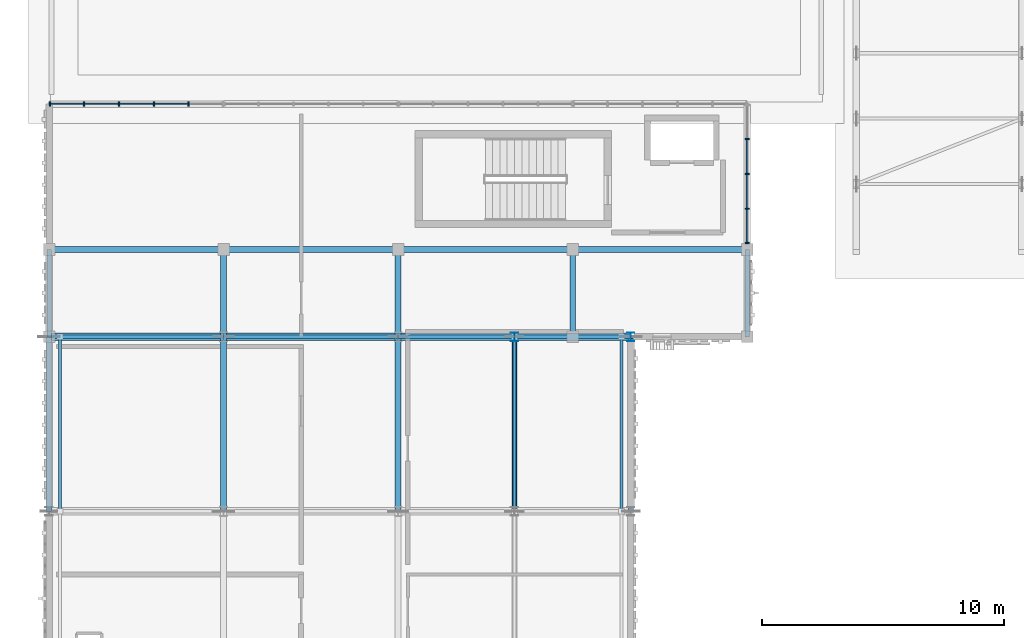
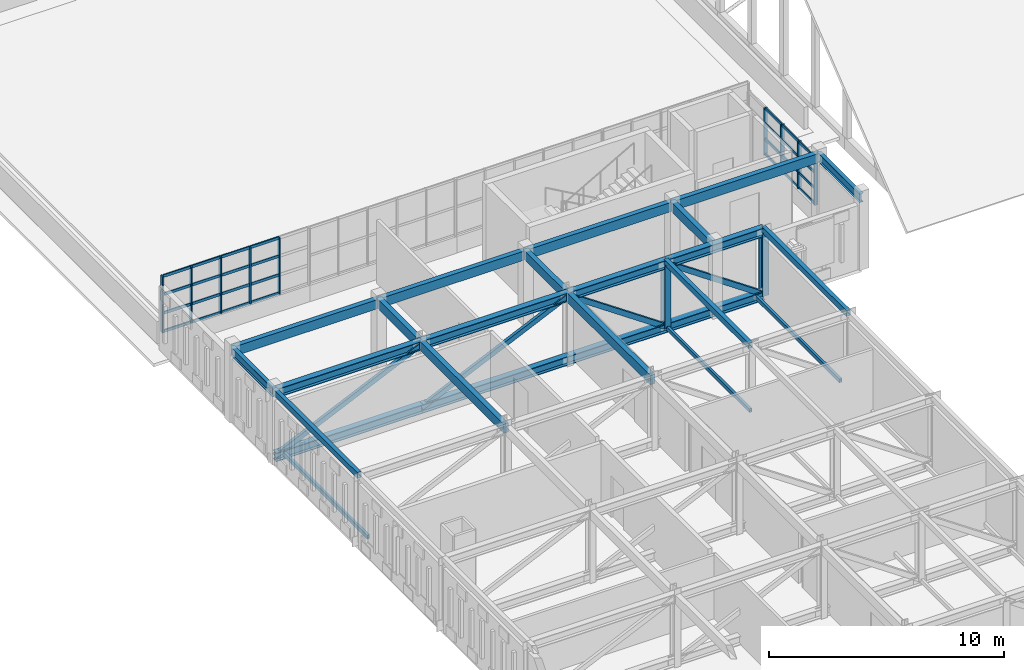
# One storey, part 14 of 79: 54 members, 14 beams, 2 elements without a shape of their own.
"""IFC4 building model written with IfcOpenShell, lengths in metres."""

from ifc_helpers import new_model, si_unit, direction, frame, origin, origin_2d, place, context, subcontext, project, spatial, rectangle, hollow_rectangle, i_section, extrude, material, material_profile, profile_set, type_object, element, aggregate, save


model = new_model("IFC4")

# Units and contexts
model_context = context("Model", 3, precision=1e-05, world=origin(), true_north=direction((0.0, 1.0)))
body_context = subcontext(model_context, "Body", "Model", "MODEL_VIEW")
ifc_project = project(units=[si_unit("LENGTHUNIT", "METRE"), si_unit("AREAUNIT", "SQUARE_METRE"), si_unit("VOLUMEUNIT", "CUBIC_METRE"), si_unit("PLANEANGLEUNIT", "RADIAN"), si_unit("MASSUNIT", "GRAM", prefix="KILO")], contexts=[model_context])

# Site, building, storey
site_placement = place(None, origin())
site = spatial("IfcSite", under=ifc_project, at=site_placement, CompositionType="ELEMENT")
building_placement = place(site_placement, origin())
building = spatial("IfcBuilding", under=site, at=building_placement, Name="Nzembalo Square Collegiate School", CompositionType="ELEMENT")
storey_placement = place(building_placement, frame((0.0, 0.0, 9.52001953125)))
storey = spatial("IfcBuildingStorey", under=building, at=storey_placement, Name="L02", CompositionType="ELEMENT", Elevation=9.52001953125)

# Beams
ifc_material_1 = material(Name="Glulam GL28h", Category="wood")
ifc_material_profile_1 = material_profile(ifc_material_1, rectangle(XDim=0.239990234375, YDim=0.47998046875, at=origin_2d()), Name="GL28h 240x480")
ifc_profile_set_1 = profile_set([ifc_material_profile_1], Name="Glulam GL28h")
beam_type_1 = type_object("IfcBeamType", Name="B06", PredefinedType="BEAM", material=ifc_profile_set_1)
beam_1_placement = place(storey_placement, frame((15.60009765625, 72.0, 3.544921875), z_axis=(0.0, 1.0, 0.0), x_axis=(-1.0, 0.0, 0.0)))
element("IfcBeam", 1, at=beam_1_placement, inside=storey, type_object=beam_type_1, Name="Beam B06 L02", PredefinedType="BEAM", context=body_context, shape_type="SweptSolid", body=[
    extrude(rectangle(XDim=0.239990234375, YDim=0.47998046875, at=origin_2d()), origin(), (0.0, 0.0, 1.0), 7.199951171875),
])
beam_2_placement = place(storey_placement, frame((15.60009765625, 79.199951171875, 3.544921875), z_axis=(0.0, 1.0, 0.0), x_axis=(-1.0, 0.0, 0.0)))
element("IfcBeam", 2, at=beam_2_placement, inside=storey, type_object=beam_type_1, Name="Beam B06 L02", PredefinedType="BEAM", context=body_context, shape_type="SweptSolid", body=[
    extrude(rectangle(XDim=0.239990234375, YDim=0.47998046875, at=origin_2d()), origin(), (0.0, 0.0, 1.0), 3.60009765625),
])
beam_3_placement = place(storey_placement, frame((22.800048828125, 72.0, 3.544921875), z_axis=(0.0, 1.0, 0.0), x_axis=(-1.0, 0.0, 0.0)))
element("IfcBeam", 3, at=beam_3_placement, inside=storey, type_object=beam_type_1, Name="Beam B06 L02", PredefinedType="BEAM", context=body_context, shape_type="SweptSolid", body=[
    extrude(rectangle(XDim=0.239990234375, YDim=0.47998046875, at=origin_2d()), origin(), (0.0, 0.0, 1.0), 7.199951171875),
])
for number, where, z_axis, x_axis, name in (
    (4, (22.800048828125, 79.199951171875, 3.544921875), (0.0, 1.0, 0.0), (-1.0, 0.0, 0.0), "Beam B06 L02"),
    (5, (30.0, 79.199951171875, 3.544921875), (0.0, 1.0, 0.0), (-1.0, 0.0, 0.0), "Beam B06 L02"),
):
    element("IfcBeam", number, at=place(storey_placement, frame(where, z_axis=z_axis, x_axis=x_axis)), inside=storey, type_object=beam_type_1, Name=name, PredefinedType="BEAM", context=body_context, shape_type="SweptSolid", body=[
        extrude(rectangle(XDim=0.239990234375, YDim=0.47998046875, at=origin_2d()), origin(), (0.0, 0.0, 1.0), 3.60009765625),
    ])
ifc_material_2 = material(Name="Steel S355", Category="steel")
ifc_material_profile_2 = material_profile(ifc_material_2, i_section(OverallWidth=0.18994140625, OverallDepth=0.449951171875, WebThickness=0.009521484375, FlangeThickness=0.0146484375, at=origin_2d()), Name="IPE 450")
ifc_profile_set_2 = profile_set([ifc_material_profile_2], Name="Steel S355")
beam_type_2 = type_object("IfcBeamType", Name="B09", PredefinedType="BEAM", material=ifc_profile_set_2)
for number, where, z_axis, x_axis, name in (
    (6, (8.39990234375, 79.199951171875, 3.56005859375), (0.0, 1.0, 0.0), (-1.0, 0.0, 0.0), "Beam B09 L02"),
    (7, (37.199951171875, 79.199951171875, 3.56005859375), (0.0, 1.0, 0.0), (-1.0, 0.0, 0.0), "Beam B09 L02"),
):
    element("IfcBeam", number, at=place(storey_placement, frame(where, z_axis=z_axis, x_axis=x_axis)), inside=storey, type_object=beam_type_2, Name=name, PredefinedType="BEAM", context=body_context, shape_type="SweptSolid", body=[
        extrude(i_section(OverallWidth=0.18994140625, OverallDepth=0.449951171875, WebThickness=0.009521484375, FlangeThickness=0.0146484375, at=origin_2d()), origin(), (0.0, 0.0, 1.0), 3.60009765625),
    ])
ifc_material_3 = material(Name="Glulam GL28h", Category="wood")
ifc_material_profile_3 = material_profile(ifc_material_3, rectangle(XDim=0.239990234375, YDim=0.47998046875, at=origin_2d()), Name="GL28h 240x480")
ifc_profile_set_3 = profile_set([ifc_material_profile_3], Name="Glulam GL28h")
beam_type_3 = type_object("IfcBeamType", Name="SP02", PredefinedType="SPANDREL", material=ifc_profile_set_3)
beam_4_placement = place(storey_placement, frame((8.39990234375, 82.800048828125, 3.544921875), z_axis=(1.0, 0.0, 0.0), x_axis=(0.0, 1.0, 0.0)))
element("IfcBeam", 8, at=beam_4_placement, inside=storey, type_object=beam_type_3, Name="Beam SP02 L02", PredefinedType="SPANDREL", context=body_context, shape_type="SweptSolid", body=[
    extrude(rectangle(XDim=0.239990234375, YDim=0.47998046875, at=origin_2d()), origin(), (0.0, 0.0, 1.0), 7.2001953125),
])
for number, where, z_axis, x_axis, name in (
    (9, (15.60009765625, 82.800048828125, 3.544921875), (1.0, 0.0, 0.0), (0.0, 1.0, 0.0), "Beam SP02 L02"),
    (10, (22.800048828125, 82.800048828125, 3.544921875), (1.0, 0.0, 0.0), (0.0, 1.0, 0.0), "Beam SP02 L02"),
    (11, (30.0, 82.800048828125, 3.544921875), (1.0, 0.0, 0.0), (0.0, 1.0, 0.0), "Beam SP02 L02"),
):
    element("IfcBeam", number, at=place(storey_placement, frame(where, z_axis=z_axis, x_axis=x_axis)), inside=storey, type_object=beam_type_3, Name=name, PredefinedType="SPANDREL", context=body_context, shape_type="SweptSolid", body=[
        extrude(rectangle(XDim=0.239990234375, YDim=0.47998046875, at=origin_2d()), origin(), (0.0, 0.0, 1.0), 7.199951171875),
    ])
ifc_material_4 = material(Name="Steel S355", Category="steel")
ifc_material_profile_4 = material_profile(ifc_material_4, hollow_rectangle(XDim=0.199951171875, YDim=0.300048828125, WallThickness=0.011962890625, at=origin_2d()), Name="RHS 300x200x12")
ifc_profile_set_4 = profile_set([ifc_material_profile_4], Name="Steel S355")
beam_type_4 = type_object("IfcBeamType", Name="SP03", PredefinedType="SPANDREL", material=ifc_profile_set_4)
for number, where, z_axis, x_axis, name in (
    (12, (8.39990234375, 72.0, 3.635009765625), (0.0, 1.0, 0.0), (-1.0, 0.0, 0.0), "Cantilever edge beam SP03 4A L02"),
    (13, (32.39990234375, 72.0, 3.635009765625), (0.0, 1.0, 0.0), (-1.0, 0.0, 0.0), "Cantilever edge beam SP03 4A L02"),
    (14, (27.60009765625, 72.0, 3.635009765625), (0.0, 1.0, 0.0), (-1.0, 0.0, 0.0), "Cantilever edge beam SP03 4A L02"),
):
    element("IfcBeam", number, at=place(storey_placement, frame(where, z_axis=z_axis, x_axis=x_axis)), inside=storey, type_object=beam_type_4, Name=name, PredefinedType="SPANDREL", context=body_context, shape_type="SweptSolid", body=[
        extrude(hollow_rectangle(XDim=0.199951171875, YDim=0.300048828125, WallThickness=0.011962890625, at=origin_2d()), origin(), (0.0, 0.0, 1.0), 7.199951171875),
    ])

# Curtain wall, members
ifc_material_5 = material(Name="Aluminium 6060-T66", Category="aluminium")
curtain_wall_type_1 = type_object("IfcCurtainWallType", Name="CW-10", PredefinedType="USERDEFINED", material=ifc_material_5)
curtain_wall_1_placement = place(storey_placement, origin())
curtain_wall_1 = element("IfcCurtainWall", 15, at=curtain_wall_1_placement, inside=storey, type_object=curtain_wall_type_1, Name="Curtain wall CW-10 cw:L02:105", ObjectType="UNITISED", PredefinedType="USERDEFINED")
ifc_material_6 = material(Name="Aluminium 6060-T66", Category="aluminium")
ifc_material_profile_5 = material_profile(ifc_material_6, rectangle(XDim=0.06005859375, YDim=0.179931640625, at=origin_2d()), Name="ALU M60x180")
ifc_profile_set_5 = profile_set([ifc_material_profile_5], Name="Aluminium 6060-T66")
member_type_1 = type_object("IfcMemberType", Name="ML01", PredefinedType="MULLION", material=ifc_profile_set_5)
member_1_placement = place(storey_placement, frame((8.429931640625, 88.800048828125, 0.85009765625), z_axis=(0.0, 0.0, 1.0), x_axis=(1.0, 0.0, 0.0)))
member_1 = element("IfcMember", 16, at=member_1_placement, type_object=member_type_1, Name="ML01 mullion 1", PredefinedType="MULLION", context=body_context, shape_type="SweptSolid", body=[
    extrude(rectangle(XDim=0.06005859375, YDim=0.179931640625, at=origin_2d()), origin(), (0.0, 0.0, 1.0), 2.923828125),
])
member_2_placement = place(storey_placement, frame((9.840087890625, 88.800048828125, 0.85009765625), z_axis=(0.0, 0.0, 1.0), x_axis=(1.0, 0.0, 0.0)))
member_2 = element("IfcMember", 17, at=member_2_placement, type_object=member_type_1, Name="ML01 mullion 2", PredefinedType="MULLION", context=body_context, shape_type="SweptSolid", body=[
    extrude(rectangle(XDim=0.06005859375, YDim=0.179931640625, at=origin_2d()), origin(), (0.0, 0.0, 1.0), 2.923828125),
])
member_3_placement = place(storey_placement, frame((11.280029296875, 88.800048828125, 0.85009765625), z_axis=(0.0, 0.0, 1.0), x_axis=(1.0, 0.0, 0.0)))
member_3 = element("IfcMember", 18, at=member_3_placement, type_object=member_type_1, Name="ML01 mullion 3", PredefinedType="MULLION", context=body_context, shape_type="SweptSolid", body=[
    extrude(rectangle(XDim=0.06005859375, YDim=0.179931640625, at=origin_2d()), origin(), (0.0, 0.0, 1.0), 2.923828125),
])
member_4_placement = place(storey_placement, frame((12.719970703125, 88.800048828125, 0.85009765625), z_axis=(0.0, 0.0, 1.0), x_axis=(1.0, 0.0, 0.0)))
member_4 = element("IfcMember", 19, at=member_4_placement, type_object=member_type_1, Name="ML01 mullion 4", PredefinedType="MULLION", context=body_context, shape_type="SweptSolid", body=[
    extrude(rectangle(XDim=0.06005859375, YDim=0.179931640625, at=origin_2d()), origin(), (0.0, 0.0, 1.0), 2.923828125),
])
member_5_placement = place(storey_placement, frame((14.159912109375, 88.800048828125, 0.85009765625), z_axis=(0.0, 0.0, 1.0), x_axis=(1.0, 0.0, 0.0)))
member_5 = element("IfcMember", 20, at=member_5_placement, type_object=member_type_1, Name="ML01 mullion 5", PredefinedType="MULLION", context=body_context, shape_type="SweptSolid", body=[
    extrude(rectangle(XDim=0.06005859375, YDim=0.179931640625, at=origin_2d()), origin(), (0.0, 0.0, 1.0), 2.923828125),
])

ifc_material_7 = material(Name="Aluminium 6060-T66", Category="aluminium")
curtain_wall_type_2 = type_object("IfcCurtainWallType", Name="CW-06", PredefinedType="USERDEFINED", material=ifc_material_7)
curtain_wall_2_placement = place(storey_placement, origin())
curtain_wall_2 = element("IfcCurtainWall", 21, at=curtain_wall_2_placement, inside=storey, type_object=curtain_wall_type_2, Name="Curtain wall CW-06 cw:L02:109", ObjectType="LANCET", PredefinedType="USERDEFINED")
member_6_placement = place(storey_placement, frame((37.199951171875, 83.072021484375, 0.85009765625), z_axis=(0.0, 0.0, 1.0), x_axis=(0.0, 1.0, 0.0)))
member_6 = element("IfcMember", 22, at=member_6_placement, type_object=member_type_1, Name="ML01 mullion 1", PredefinedType="MULLION", context=body_context, shape_type="SweptSolid", body=[
    extrude(rectangle(XDim=0.06005859375, YDim=0.179931640625, at=origin_2d()), origin(), (0.0, 0.0, 1.0), 2.448974609375),
])
member_7_placement = place(storey_placement, frame((37.199951171875, 84.4814453125, 0.85009765625), z_axis=(0.0, 0.0, 1.0), x_axis=(0.0, 1.0, 0.0)))
member_7 = element("IfcMember", 23, at=member_7_placement, type_object=member_type_1, Name="ML01 mullion 2", PredefinedType="MULLION", context=body_context, shape_type="SweptSolid", body=[
    extrude(rectangle(XDim=0.06005859375, YDim=0.179931640625, at=origin_2d()), origin(), (0.0, 0.0, 1.0), 2.448974609375),
])
member_8_placement = place(storey_placement, frame((37.199951171875, 85.9208984375, 0.85009765625), z_axis=(0.0, 0.0, 1.0), x_axis=(0.0, 1.0, 0.0)))
member_8 = element("IfcMember", 24, at=member_8_placement, type_object=member_type_1, Name="ML01 mullion 3", PredefinedType="MULLION", context=body_context, shape_type="SweptSolid", body=[
    extrude(rectangle(XDim=0.06005859375, YDim=0.179931640625, at=origin_2d()), origin(), (0.0, 0.0, 1.0), 2.448974609375),
])
member_9_placement = place(storey_placement, frame((37.199951171875, 87.360595703125, 0.85009765625), z_axis=(0.0, 0.0, 1.0), x_axis=(0.0, 1.0, 0.0)))
member_9 = element("IfcMember", 25, at=member_9_placement, type_object=member_type_1, Name="ML01 mullion 4", PredefinedType="MULLION", context=body_context, shape_type="SweptSolid", body=[
    extrude(rectangle(XDim=0.06005859375, YDim=0.179931640625, at=origin_2d()), origin(), (0.0, 0.0, 1.0), 2.448974609375),
])

# Member
ifc_material_8 = material(Name="Aluminium 6060-T66", Category="aluminium")
ifc_material_profile_6 = material_profile(ifc_material_8, rectangle(XDim=0.06005859375, YDim=0.139892578125, at=origin_2d()), Name="ALU T60x140")
ifc_profile_set_6 = profile_set([ifc_material_profile_6], Name="Aluminium 6060-T66")
member_type_2 = type_object("IfcMemberType", Name="TR01", PredefinedType="USERDEFINED", material=ifc_profile_set_6)
member_10_placement = place(storey_placement, frame((8.4599609375, 88.800048828125, 0.8798828125), z_axis=(1.0, 0.0, 0.0), x_axis=(0.0, 1.0, 0.0)))
member_10 = element("IfcMember", 26, at=member_10_placement, type_object=member_type_2, Name="TR01 transom 1-1", ObjectType="TRANSOM", PredefinedType="USERDEFINED", context=body_context, shape_type="SweptSolid", body=[
    extrude(rectangle(XDim=0.06005859375, YDim=0.139892578125, at=origin_2d()), origin(), (0.0, 0.0, 1.0), 1.35009765625),
])

member_11_placement = place(storey_placement, frame((9.8701171875, 88.800048828125, 0.8798828125), z_axis=(1.0, 0.0, 0.0), x_axis=(0.0, 1.0, 0.0)))
member_11 = element("IfcMember", 27, at=member_11_placement, type_object=member_type_2, Name="TR01 transom 1-2", ObjectType="TRANSOM", PredefinedType="USERDEFINED", context=body_context, shape_type="SweptSolid", body=[
    extrude(rectangle(XDim=0.06005859375, YDim=0.139892578125, at=origin_2d()), origin(), (0.0, 0.0, 1.0), 1.3798828125),
])

member_12_placement = place(storey_placement, frame((11.31005859375, 88.800048828125, 0.8798828125), z_axis=(1.0, 0.0, 0.0), x_axis=(0.0, 1.0, 0.0)))
member_12 = element("IfcMember", 28, at=member_12_placement, type_object=member_type_2, Name="TR01 transom 1-3", ObjectType="TRANSOM", PredefinedType="USERDEFINED", context=body_context, shape_type="SweptSolid", body=[
    extrude(rectangle(XDim=0.06005859375, YDim=0.139892578125, at=origin_2d()), origin(), (0.0, 0.0, 1.0), 1.3798828125),
])

member_13_placement = place(storey_placement, frame((12.75, 88.800048828125, 0.8798828125), z_axis=(1.0, 0.0, 0.0), x_axis=(0.0, 1.0, 0.0)))
member_13 = element("IfcMember", 29, at=member_13_placement, type_object=member_type_2, Name="TR01 transom 1-4", ObjectType="TRANSOM", PredefinedType="USERDEFINED", context=body_context, shape_type="SweptSolid", body=[
    extrude(rectangle(XDim=0.06005859375, YDim=0.139892578125, at=origin_2d()), origin(), (0.0, 0.0, 1.0), 1.3798828125),
])

member_14_placement = place(storey_placement, frame((8.4599609375, 88.800048828125, 1.82470703125), z_axis=(1.0, 0.0, 0.0), x_axis=(0.0, 1.0, 0.0)))
member_14 = element("IfcMember", 30, at=member_14_placement, type_object=member_type_2, Name="TR01 transom 2-1", ObjectType="TRANSOM", PredefinedType="USERDEFINED", context=body_context, shape_type="SweptSolid", body=[
    extrude(rectangle(XDim=0.06005859375, YDim=0.139892578125, at=origin_2d()), origin(), (0.0, 0.0, 1.0), 1.35009765625),
])

member_15_placement = place(storey_placement, frame((9.8701171875, 88.800048828125, 1.82470703125), z_axis=(1.0, 0.0, 0.0), x_axis=(0.0, 1.0, 0.0)))
member_15 = element("IfcMember", 31, at=member_15_placement, type_object=member_type_2, Name="TR01 transom 2-2", ObjectType="TRANSOM", PredefinedType="USERDEFINED", context=body_context, shape_type="SweptSolid", body=[
    extrude(rectangle(XDim=0.06005859375, YDim=0.139892578125, at=origin_2d()), origin(), (0.0, 0.0, 1.0), 1.3798828125),
])

member_16_placement = place(storey_placement, frame((11.31005859375, 88.800048828125, 1.82470703125), z_axis=(1.0, 0.0, 0.0), x_axis=(0.0, 1.0, 0.0)))
member_16 = element("IfcMember", 32, at=member_16_placement, type_object=member_type_2, Name="TR01 transom 2-3", ObjectType="TRANSOM", PredefinedType="USERDEFINED", context=body_context, shape_type="SweptSolid", body=[
    extrude(rectangle(XDim=0.06005859375, YDim=0.139892578125, at=origin_2d()), origin(), (0.0, 0.0, 1.0), 1.3798828125),
])

member_17_placement = place(storey_placement, frame((12.75, 88.800048828125, 1.82470703125), z_axis=(1.0, 0.0, 0.0), x_axis=(0.0, 1.0, 0.0)))
member_17 = element("IfcMember", 33, at=member_17_placement, type_object=member_type_2, Name="TR01 transom 2-4", ObjectType="TRANSOM", PredefinedType="USERDEFINED", context=body_context, shape_type="SweptSolid", body=[
    extrude(rectangle(XDim=0.06005859375, YDim=0.139892578125, at=origin_2d()), origin(), (0.0, 0.0, 1.0), 1.3798828125),
])

member_18_placement = place(storey_placement, frame((8.4599609375, 88.800048828125, 2.79931640625), z_axis=(1.0, 0.0, 0.0), x_axis=(0.0, 1.0, 0.0)))
member_18 = element("IfcMember", 34, at=member_18_placement, type_object=member_type_2, Name="TR01 transom 3-1", ObjectType="TRANSOM", PredefinedType="USERDEFINED", context=body_context, shape_type="SweptSolid", body=[
    extrude(rectangle(XDim=0.06005859375, YDim=0.139892578125, at=origin_2d()), origin(), (0.0, 0.0, 1.0), 1.35009765625),
])

member_19_placement = place(storey_placement, frame((9.8701171875, 88.800048828125, 2.79931640625), z_axis=(1.0, 0.0, 0.0), x_axis=(0.0, 1.0, 0.0)))
member_19 = element("IfcMember", 35, at=member_19_placement, type_object=member_type_2, Name="TR01 transom 3-2", ObjectType="TRANSOM", PredefinedType="USERDEFINED", context=body_context, shape_type="SweptSolid", body=[
    extrude(rectangle(XDim=0.06005859375, YDim=0.139892578125, at=origin_2d()), origin(), (0.0, 0.0, 1.0), 1.3798828125),
])

member_20_placement = place(storey_placement, frame((11.31005859375, 88.800048828125, 2.79931640625), z_axis=(1.0, 0.0, 0.0), x_axis=(0.0, 1.0, 0.0)))
member_20 = element("IfcMember", 36, at=member_20_placement, type_object=member_type_2, Name="TR01 transom 3-3", ObjectType="TRANSOM", PredefinedType="USERDEFINED", context=body_context, shape_type="SweptSolid", body=[
    extrude(rectangle(XDim=0.06005859375, YDim=0.139892578125, at=origin_2d()), origin(), (0.0, 0.0, 1.0), 1.3798828125),
])

member_21_placement = place(storey_placement, frame((12.75, 88.800048828125, 2.79931640625), z_axis=(1.0, 0.0, 0.0), x_axis=(0.0, 1.0, 0.0)))
member_21 = element("IfcMember", 37, at=member_21_placement, type_object=member_type_2, Name="TR01 transom 3-4", ObjectType="TRANSOM", PredefinedType="USERDEFINED", context=body_context, shape_type="SweptSolid", body=[
    extrude(rectangle(XDim=0.06005859375, YDim=0.139892578125, at=origin_2d()), origin(), (0.0, 0.0, 1.0), 1.3798828125),
])

member_22_placement = place(storey_placement, frame((8.4599609375, 88.800048828125, 3.743896484375), z_axis=(1.0, 0.0, 0.0), x_axis=(0.0, 1.0, 0.0)))
member_22 = element("IfcMember", 38, at=member_22_placement, type_object=member_type_2, Name="TR01 transom 4-1", ObjectType="TRANSOM", PredefinedType="USERDEFINED", context=body_context, shape_type="SweptSolid", body=[
    extrude(rectangle(XDim=0.06005859375, YDim=0.139892578125, at=origin_2d()), origin(), (0.0, 0.0, 1.0), 1.35009765625),
])

member_23_placement = place(storey_placement, frame((9.8701171875, 88.800048828125, 3.743896484375), z_axis=(1.0, 0.0, 0.0), x_axis=(0.0, 1.0, 0.0)))
member_23 = element("IfcMember", 39, at=member_23_placement, type_object=member_type_2, Name="TR01 transom 4-2", ObjectType="TRANSOM", PredefinedType="USERDEFINED", context=body_context, shape_type="SweptSolid", body=[
    extrude(rectangle(XDim=0.06005859375, YDim=0.139892578125, at=origin_2d()), origin(), (0.0, 0.0, 1.0), 1.3798828125),
])

member_24_placement = place(storey_placement, frame((11.31005859375, 88.800048828125, 3.743896484375), z_axis=(1.0, 0.0, 0.0), x_axis=(0.0, 1.0, 0.0)))
member_24 = element("IfcMember", 40, at=member_24_placement, type_object=member_type_2, Name="TR01 transom 4-3", ObjectType="TRANSOM", PredefinedType="USERDEFINED", context=body_context, shape_type="SweptSolid", body=[
    extrude(rectangle(XDim=0.06005859375, YDim=0.139892578125, at=origin_2d()), origin(), (0.0, 0.0, 1.0), 1.3798828125),
])

member_25_placement = place(storey_placement, frame((12.75, 88.800048828125, 3.743896484375), z_axis=(1.0, 0.0, 0.0), x_axis=(0.0, 1.0, 0.0)))
member_25 = element("IfcMember", 41, at=member_25_placement, type_object=member_type_2, Name="TR01 transom 4-4", ObjectType="TRANSOM", PredefinedType="USERDEFINED", context=body_context, shape_type="SweptSolid", body=[
    extrude(rectangle(XDim=0.06005859375, YDim=0.139892578125, at=origin_2d()), origin(), (0.0, 0.0, 1.0), 1.3798828125),
])

aggregate(curtain_wall_1, [member_1, member_2, member_3, member_4, member_5, member_10, member_11, member_12, member_13, member_14, member_15, member_16, member_17, member_18, member_19, member_20, member_21, member_22, member_23, member_24, member_25])

member_26_placement = place(storey_placement, frame((37.199951171875, 83.10205078125, 0.8798828125), z_axis=(0.0, 1.0, 0.0), x_axis=(-1.0, 0.0, 0.0)))
member_26 = element("IfcMember", 42, at=member_26_placement, type_object=member_type_2, Name="TR01 transom 1-1", ObjectType="TRANSOM", PredefinedType="USERDEFINED", context=body_context, shape_type="SweptSolid", body=[
    extrude(rectangle(XDim=0.06005859375, YDim=0.139892578125, at=origin_2d()), origin(), (0.0, 0.0, 1.0), 1.349365234375),
])

member_27_placement = place(storey_placement, frame((37.199951171875, 84.511474609375, 0.8798828125), z_axis=(0.0, 1.0, 0.0), x_axis=(-1.0, 0.0, 0.0)))
member_27 = element("IfcMember", 43, at=member_27_placement, type_object=member_type_2, Name="TR01 transom 1-2", ObjectType="TRANSOM", PredefinedType="USERDEFINED", context=body_context, shape_type="SweptSolid", body=[
    extrude(rectangle(XDim=0.06005859375, YDim=0.139892578125, at=origin_2d()), origin(), (0.0, 0.0, 1.0), 1.379638671875),
])

member_28_placement = place(storey_placement, frame((37.199951171875, 85.950927734375, 0.8798828125), z_axis=(0.0, 1.0, 0.0), x_axis=(-1.0, 0.0, 0.0)))
member_28 = element("IfcMember", 44, at=member_28_placement, type_object=member_type_2, Name="TR01 transom 1-3", ObjectType="TRANSOM", PredefinedType="USERDEFINED", context=body_context, shape_type="SweptSolid", body=[
    extrude(rectangle(XDim=0.06005859375, YDim=0.139892578125, at=origin_2d()), origin(), (0.0, 0.0, 1.0), 1.379638671875),
])

member_29_placement = place(storey_placement, frame((37.199951171875, 83.10205078125, 1.666259765625), z_axis=(0.0, 1.0, 0.0), x_axis=(-1.0, 0.0, 0.0)))
member_29 = element("IfcMember", 45, at=member_29_placement, type_object=member_type_2, Name="TR01 transom 2-1", ObjectType="TRANSOM", PredefinedType="USERDEFINED", context=body_context, shape_type="SweptSolid", body=[
    extrude(rectangle(XDim=0.06005859375, YDim=0.139892578125, at=origin_2d()), origin(), (0.0, 0.0, 1.0), 1.349365234375),
])

member_30_placement = place(storey_placement, frame((37.199951171875, 84.511474609375, 1.666259765625), z_axis=(0.0, 1.0, 0.0), x_axis=(-1.0, 0.0, 0.0)))
member_30 = element("IfcMember", 46, at=member_30_placement, type_object=member_type_2, Name="TR01 transom 2-2", ObjectType="TRANSOM", PredefinedType="USERDEFINED", context=body_context, shape_type="SweptSolid", body=[
    extrude(rectangle(XDim=0.06005859375, YDim=0.139892578125, at=origin_2d()), origin(), (0.0, 0.0, 1.0), 1.379638671875),
])

member_31_placement = place(storey_placement, frame((37.199951171875, 85.950927734375, 1.666259765625), z_axis=(0.0, 1.0, 0.0), x_axis=(-1.0, 0.0, 0.0)))
member_31 = element("IfcMember", 47, at=member_31_placement, type_object=member_type_2, Name="TR01 transom 2-3", ObjectType="TRANSOM", PredefinedType="USERDEFINED", context=body_context, shape_type="SweptSolid", body=[
    extrude(rectangle(XDim=0.06005859375, YDim=0.139892578125, at=origin_2d()), origin(), (0.0, 0.0, 1.0), 1.379638671875),
])

member_32_placement = place(storey_placement, frame((37.199951171875, 83.10205078125, 2.482666015625), z_axis=(0.0, 1.0, 0.0), x_axis=(-1.0, 0.0, 0.0)))
member_32 = element("IfcMember", 48, at=member_32_placement, type_object=member_type_2, Name="TR01 transom 3-1", ObjectType="TRANSOM", PredefinedType="USERDEFINED", context=body_context, shape_type="SweptSolid", body=[
    extrude(rectangle(XDim=0.06005859375, YDim=0.139892578125, at=origin_2d()), origin(), (0.0, 0.0, 1.0), 1.349365234375),
])

member_33_placement = place(storey_placement, frame((37.199951171875, 84.511474609375, 2.482666015625), z_axis=(0.0, 1.0, 0.0), x_axis=(-1.0, 0.0, 0.0)))
member_33 = element("IfcMember", 49, at=member_33_placement, type_object=member_type_2, Name="TR01 transom 3-2", ObjectType="TRANSOM", PredefinedType="USERDEFINED", context=body_context, shape_type="SweptSolid", body=[
    extrude(rectangle(XDim=0.06005859375, YDim=0.139892578125, at=origin_2d()), origin(), (0.0, 0.0, 1.0), 1.379638671875),
])

member_34_placement = place(storey_placement, frame((37.199951171875, 85.950927734375, 2.482666015625), z_axis=(0.0, 1.0, 0.0), x_axis=(-1.0, 0.0, 0.0)))
member_34 = element("IfcMember", 50, at=member_34_placement, type_object=member_type_2, Name="TR01 transom 3-3", ObjectType="TRANSOM", PredefinedType="USERDEFINED", context=body_context, shape_type="SweptSolid", body=[
    extrude(rectangle(XDim=0.06005859375, YDim=0.139892578125, at=origin_2d()), origin(), (0.0, 0.0, 1.0), 1.379638671875),
])

member_35_placement = place(storey_placement, frame((37.199951171875, 83.10205078125, 3.26904296875), z_axis=(0.0, 1.0, 0.0), x_axis=(-1.0, 0.0, 0.0)))
member_35 = element("IfcMember", 51, at=member_35_placement, type_object=member_type_2, Name="TR01 transom 4-1", ObjectType="TRANSOM", PredefinedType="USERDEFINED", context=body_context, shape_type="SweptSolid", body=[
    extrude(rectangle(XDim=0.06005859375, YDim=0.139892578125, at=origin_2d()), origin(), (0.0, 0.0, 1.0), 1.349365234375),
])

member_36_placement = place(storey_placement, frame((37.199951171875, 84.511474609375, 3.26904296875), z_axis=(0.0, 1.0, 0.0), x_axis=(-1.0, 0.0, 0.0)))
member_36 = element("IfcMember", 52, at=member_36_placement, type_object=member_type_2, Name="TR01 transom 4-2", ObjectType="TRANSOM", PredefinedType="USERDEFINED", context=body_context, shape_type="SweptSolid", body=[
    extrude(rectangle(XDim=0.06005859375, YDim=0.139892578125, at=origin_2d()), origin(), (0.0, 0.0, 1.0), 1.379638671875),
])

member_37_placement = place(storey_placement, frame((37.199951171875, 85.950927734375, 3.26904296875), z_axis=(0.0, 1.0, 0.0), x_axis=(-1.0, 0.0, 0.0)))
member_37 = element("IfcMember", 53, at=member_37_placement, type_object=member_type_2, Name="TR01 transom 4-3", ObjectType="TRANSOM", PredefinedType="USERDEFINED", context=body_context, shape_type="SweptSolid", body=[
    extrude(rectangle(XDim=0.06005859375, YDim=0.139892578125, at=origin_2d()), origin(), (0.0, 0.0, 1.0), 1.379638671875),
])

aggregate(curtain_wall_2, [member_6, member_7, member_8, member_9, member_26, member_27, member_28, member_29, member_30, member_31, member_32, member_33, member_34, member_35, member_36, member_37])

# Members
ifc_material_9 = material(Name="Steel S355", Category="steel")
ifc_material_profile_7 = material_profile(ifc_material_9, hollow_rectangle(XDim=0.1201171875, YDim=0.199951171875, WallThickness=0.008056640625, at=origin_2d()), Name="RHS 200x120x8")
ifc_profile_set_7 = profile_set([ifc_material_profile_7], Name="Steel S355")
member_type_3 = type_object("IfcMemberType", Name="BR02", PredefinedType="BRACE", material=ifc_profile_set_7)
for number, where, z_axis, x_axis, name in (
    (54, (32.02001953125, 72.0, 0.260009765625), (0.0, 1.0, 0.0), (-1.0, 0.0, 0.0), "Cantilever bottom-chord tie 4A btip"),
    (55, (27.60009765625, 72.0, 0.260009765625), (0.0, 1.0, 0.0), (-1.0, 0.0, 0.0), "Cantilever bottom-chord tie 4A bmid"),
    (56, (8.85009765625, 72.0, 0.260009765625), (0.0, 1.0, 0.0), (-1.0, 0.0, 0.0), "Cantilever outer bottom-chord tie 4A"),
):
    element("IfcMember", number, at=place(storey_placement, frame(where, z_axis=z_axis, x_axis=x_axis)), inside=storey, type_object=member_type_3, Name=name, PredefinedType="BRACE", context=body_context, shape_type="SweptSolid", body=[
        extrude(hollow_rectangle(XDim=0.1201171875, YDim=0.199951171875, WallThickness=0.008056640625, at=origin_2d()), origin(), (0.0, 0.0, 1.0), 7.199951171875),
    ])
ifc_material_10 = material(Name="Steel S355", Category="steel")
ifc_material_profile_8 = material_profile(ifc_material_10, i_section(OverallWidth=0.300048828125, OverallDepth=0.449951171875, WebThickness=0.013916015625, FlangeThickness=0.02587890625, at=origin_2d()), Name="HEB 450")
ifc_profile_set_8 = profile_set([ifc_material_profile_8], Name="Steel S355")
member_type_4 = type_object("IfcMemberType", Name="TC03", PredefinedType="CHORD", material=ifc_profile_set_8)
for number, where, z_axis, x_axis, name in (
    (57, (8.39990234375, 79.199951171875, 3.56005859375), (1.0, 0.0, 0.0), (0.0, 1.0, 0.0), "TT-4A-05 top chord 1"),
    (58, (8.39990234375, 79.199951171875, 0.260009765625), (1.0, 0.0, 0.0), (0.0, 1.0, 0.0), "TT-4A-05 bottom chord 1"),
):
    element("IfcMember", number, at=place(storey_placement, frame(where, z_axis=z_axis, x_axis=x_axis)), inside=storey, type_object=member_type_4, Name=name, PredefinedType="CHORD", context=body_context, shape_type="SweptSolid", body=[
        extrude(i_section(OverallWidth=0.300048828125, OverallDepth=0.449951171875, WebThickness=0.013916015625, FlangeThickness=0.02587890625, at=origin_2d()), origin(), (0.0, 0.0, 1.0), 7.2001953125),
    ])
for number, where, z_axis, x_axis, name in (
    (59, (15.60009765625, 79.199951171875, 3.56005859375), (1.0, 0.0, 0.0), (0.0, 1.0, 0.0), "TT-4A-05 top chord 2"),
    (60, (15.60009765625, 79.199951171875, 0.260009765625), (1.0, 0.0, 0.0), (0.0, 1.0, 0.0), "TT-4A-05 bottom chord 2"),
):
    element("IfcMember", number, at=place(storey_placement, frame(where, z_axis=z_axis, x_axis=x_axis)), inside=storey, type_object=member_type_4, Name=name, PredefinedType="CHORD", context=body_context, shape_type="SweptSolid", body=[
        extrude(i_section(OverallWidth=0.300048828125, OverallDepth=0.449951171875, WebThickness=0.013916015625, FlangeThickness=0.02587890625, at=origin_2d()), origin(), (0.0, 0.0, 1.0), 7.199951171875),
    ])
for number, where, z_axis, x_axis, name in (
    (61, (22.800048828125, 79.199951171875, 3.56005859375), (1.0, 0.0, 0.0), (0.0, 1.0, 0.0), "TT-4A-05 top chord 3"),
    (62, (22.800048828125, 79.199951171875, 0.260009765625), (1.0, 0.0, 0.0), (0.0, 1.0, 0.0), "TT-4A-05 bottom chord 3"),
):
    element("IfcMember", number, at=place(storey_placement, frame(where, z_axis=z_axis, x_axis=x_axis)), inside=storey, type_object=member_type_4, Name=name, PredefinedType="CHORD", context=body_context, shape_type="SweptSolid", body=[
        extrude(i_section(OverallWidth=0.300048828125, OverallDepth=0.449951171875, WebThickness=0.013916015625, FlangeThickness=0.02587890625, at=origin_2d()), origin(), (0.0, 0.0, 1.0), 4.800048828125),
    ])
for number, where, z_axis, x_axis, name in (
    (63, (27.60009765625, 79.199951171875, 3.56005859375), (1.0, 0.0, 0.0), (0.0, 1.0, 0.0), "TT-4A-05 top chord 4"),
    (64, (27.60009765625, 79.199951171875, 0.260009765625), (1.0, 0.0, 0.0), (0.0, 1.0, 0.0), "TT-4A-05 bottom chord 4"),
):
    element("IfcMember", number, at=place(storey_placement, frame(where, z_axis=z_axis, x_axis=x_axis)), inside=storey, type_object=member_type_4, Name=name, PredefinedType="CHORD", context=body_context, shape_type="SweptSolid", body=[
        extrude(i_section(OverallWidth=0.300048828125, OverallDepth=0.449951171875, WebThickness=0.013916015625, FlangeThickness=0.02587890625, at=origin_2d()), origin(), (0.0, 0.0, 1.0), 4.7998046875),
    ])
ifc_material_11 = material(Name="Steel S355", Category="steel")
ifc_material_profile_9 = material_profile(ifc_material_11, hollow_rectangle(XDim=0.14990234375, YDim=0.25, WallThickness=0.010009765625, at=origin_2d()), Name="RHS 250x150x10")
ifc_profile_set_9 = profile_set([ifc_material_profile_9], Name="Steel S355")
member_type_5 = type_object("IfcMemberType", Name="TD03", PredefinedType="BRACE", material=ifc_profile_set_9)
member_38_placement = place(storey_placement, frame((8.39990234375, 79.199951171875, 0.260009765625), z_axis=(0.909066768744, 0.0, 0.416650464977), x_axis=(0.0, 1.0, 0.0)))
element("IfcMember", 65, at=member_38_placement, inside=storey, type_object=member_type_5, Name="TT-4A-05 web diagonal 1", PredefinedType="BRACE", context=body_context, shape_type="SweptSolid", body=[
    extrude(hollow_rectangle(XDim=0.14990234375, YDim=0.25, WallThickness=0.010009765625, at=origin_2d()), origin(), (0.0, 0.0, 1.0), 7.92041015625),
])
member_39_placement = place(storey_placement, frame((15.60009765625, 79.199951171875, 0.260009765625), z_axis=(0.909061417515, 0.0, 0.416662140332), x_axis=(0.0, 1.0, 0.0)))
element("IfcMember", 66, at=member_39_placement, inside=storey, type_object=member_type_5, Name="TT-4A-05 web diagonal 2", PredefinedType="BRACE", context=body_context, shape_type="SweptSolid", body=[
    extrude(hollow_rectangle(XDim=0.14990234375, YDim=0.25, WallThickness=0.010009765625, at=origin_2d()), origin(), (0.0, 0.0, 1.0), 7.920166015625),
])
member_40_placement = place(storey_placement, frame((27.60009765625, 79.199951171875, 0.260009765625), z_axis=(-0.824040701288, 0.0, 0.566530601664), x_axis=(0.0, -1.0, 0.0)))
element("IfcMember", 67, at=member_40_placement, inside=storey, type_object=member_type_5, Name="TT-4A-05 web diagonal 3", PredefinedType="BRACE", context=body_context, shape_type="SweptSolid", body=[
    extrude(hollow_rectangle(XDim=0.14990234375, YDim=0.25, WallThickness=0.010009765625, at=origin_2d()), origin(), (0.0, 0.0, 1.0), 5.824951171875),
])
member_41_placement = place(storey_placement, frame((32.39990234375, 79.199951171875, 0.260009765625), z_axis=(-0.824027248499, 0.0, 0.566550168767), x_axis=(0.0, -1.0, 0.0)))
element("IfcMember", 68, at=member_41_placement, inside=storey, type_object=member_type_5, Name="TT-4A-05 web diagonal 4", PredefinedType="BRACE", context=body_context, shape_type="SweptSolid", body=[
    extrude(hollow_rectangle(XDim=0.14990234375, YDim=0.25, WallThickness=0.010009765625, at=origin_2d()), origin(), (0.0, 0.0, 1.0), 5.82470703125),
])
ifc_material_12 = material(Name="Steel S355", Category="steel")
ifc_material_profile_10 = material_profile(ifc_material_12, i_section(OverallWidth=0.300048828125, OverallDepth=0.35009765625, WebThickness=0.010009765625, FlangeThickness=0.017578125, at=origin_2d()), Name="HEA 360")
ifc_profile_set_10 = profile_set([ifc_material_profile_10], Name="Steel S355")
member_type_6 = type_object("IfcMemberType", Name="TP02", PredefinedType="POST", material=ifc_profile_set_10)
for number, where, z_axis, x_axis, name in (
    (69, (27.60009765625, 79.199951171875, 0.260009765625), (0.0, 0.0, 1.0), (1.0, 0.0, 0.0), "TT-4A-05 cantilever post 3"),
    (70, (32.39990234375, 79.199951171875, 0.260009765625), (0.0, 0.0, 1.0), (1.0, 0.0, 0.0), "TT-4A-05 cantilever post 4"),
):
    element("IfcMember", number, at=place(storey_placement, frame(where, z_axis=z_axis, x_axis=x_axis)), inside=storey, type_object=member_type_6, Name=name, PredefinedType="POST", context=body_context, shape_type="SweptSolid", body=[
        extrude(i_section(OverallWidth=0.300048828125, OverallDepth=0.35009765625, WebThickness=0.010009765625, FlangeThickness=0.017578125, at=origin_2d()), origin(), (0.0, 0.0, 1.0), 3.300048828125),
    ])

save(model, "model.ifc")
